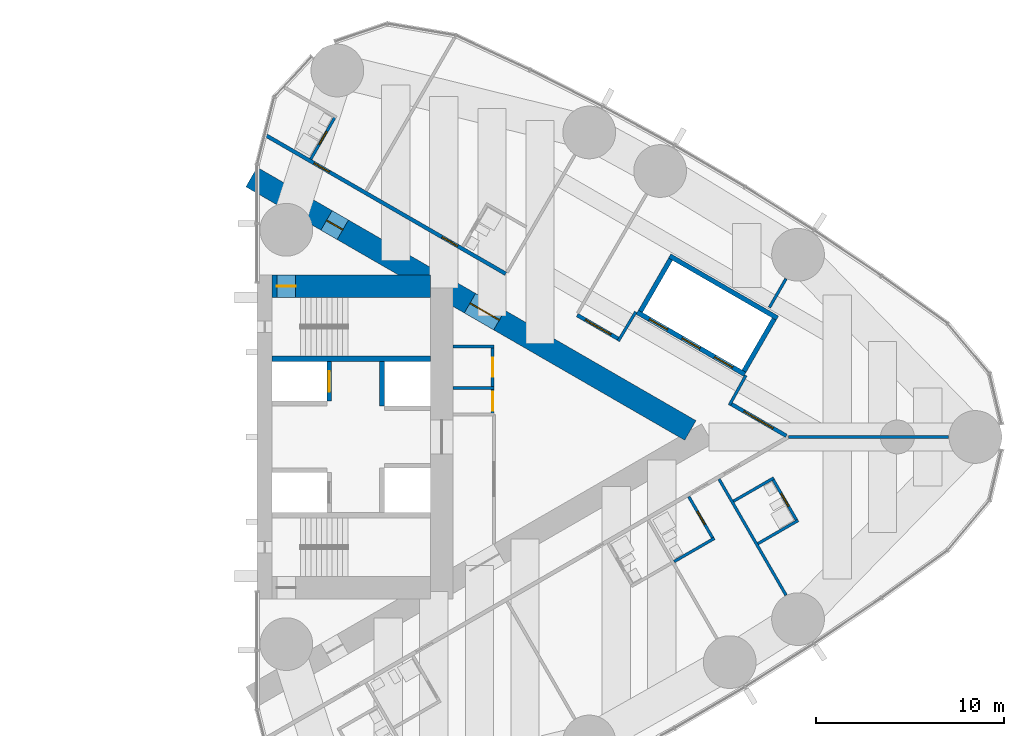
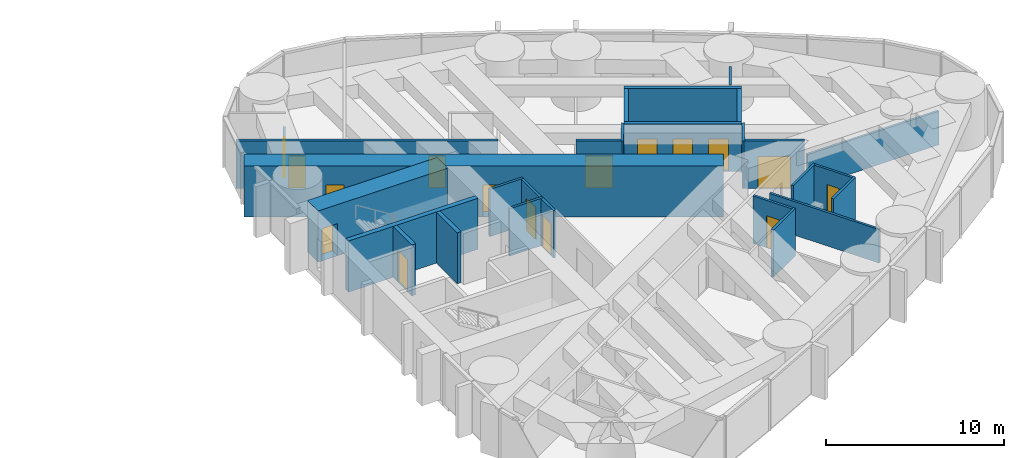
# One storey, part 15 of 19: 27 walls, 16 doors, 16 openings.
"""IFC4 building model written with IfcOpenShell, lengths in metres."""

from ifc_helpers import new_model, si_unit, direction, frame, frame_2d, origin, place, context, subcontext, project, spatial, rectangle, extrude, material, layer, layer_set, type_object, element, fill, save


model = new_model("IFC4")

# Units and contexts
model_context = context("Model", 3, precision=1e-05, world=origin(), true_north=direction((0.0, 1.0)))
body_context = subcontext(model_context, "Body", "Model", "MODEL_VIEW")
ifc_project = project(units=[si_unit("LENGTHUNIT", "METRE"), si_unit("AREAUNIT", "SQUARE_METRE"), si_unit("VOLUMEUNIT", "CUBIC_METRE"), si_unit("PLANEANGLEUNIT", "RADIAN"), si_unit("MASSUNIT", "GRAM", prefix="KILO")], contexts=[model_context])

# Site, building, storey
site_placement = place(None, origin())
site = spatial("IfcSite", under=ifc_project, at=site_placement, CompositionType="ELEMENT")
building_placement = place(site_placement, origin())
building = spatial("IfcBuilding", under=site, at=building_placement, Name="Lancet Gate Hotel", CompositionType="ELEMENT")
storey_placement = place(building_placement, frame((0.0, 0.0, 177.300048828125)))
storey = spatial("IfcBuildingStorey", under=building, at=storey_placement, Name="L47", CompositionType="ELEMENT", Elevation=177.300048828125)

# Wall
ifc_material_1 = material(Name="Moisture resistant board partition")
ifc_layer_1 = layer(ifc_material_1, 0.14990234375)
ifc_layer_set_1 = layer_set([ifc_layer_1], Name="Bathroom wall 150")
wall_type_1 = type_object("IfcWallType", Name="Bathroom wall 150", PredefinedType="PARTITIONING", material=ifc_layer_set_1)
wall_1_placement = place(storey_placement, frame((49.6396484375, -6.617919921875, 0.0), z_axis=(0.0, 0.0, 1.0), x_axis=(0.866006523861, 0.500032699561, 0.0)))
element("IfcWall", 1, at=wall_1_placement, inside=storey, type_object=wall_type_1, Name="T2 bathroom wall 150 L47", PredefinedType="PARTITIONING", context=body_context, shape_type="SweptSolid", body=[
    extrude(rectangle(XDim=2.474853515625, YDim=0.14990234375, at=frame_2d((1.2373046875, 0.0))), origin(), (0.0, 0.0, 1.0), 3.25),
])

# Wall, opening, door
wall_2_placement = place(storey_placement, frame((50.418212890625, -3.166259765625, 0.0), z_axis=(0.0, 0.0, 1.0), x_axis=(0.499936506574, -0.866062058628, 0.0)))
wall_2 = element("IfcWall", 2, at=wall_2_placement, inside=storey, type_object=wall_type_1, Name="T2 bathroom wall 150 L47", PredefinedType="PARTITIONING", context=body_context, shape_type="SweptSolid", body=[
    extrude(rectangle(XDim=2.599853515625, YDim=0.14990234375, at=frame_2d((1.2998046875, 0.0))), origin(), (0.0, 0.0, 1.0), 3.25),
])
opening_1_placement = place(wall_2_placement, frame((0.89990234375, 0.0, 0.0)))
opening_1 = element("IfcOpeningElement", 3, at=opening_1_placement, cuts=wall_2, Name="Opening 4756-B", PredefinedType="OPENING", context=body_context, shape_type="SweptSolid", body=[
    extrude(rectangle(XDim=0.800048828125, YDim=2.199951171875, at=frame_2d((0.39990234375, 1.10009765625))), frame((0.0, 0.0849609375, 0.0), z_axis=(0.0, -1.0, 0.0), x_axis=(1.0, 0.0, 0.0)), (0.0, 0.0, 1.0), 0.169921875),
])
ifc_material_2 = material(Name="Timber door set", Category="wood")
door_type_1 = type_object("IfcDoorType", Name="Bathroom door 800", OperationType="SINGLE_SWING_RIGHT", PredefinedType="DOOR", material=ifc_material_2)
door_1_placement = place(opening_1_placement, origin())
door_1 = element("IfcDoor", 4, at=door_1_placement, inside=storey, type_object=door_type_1, Name="4756-B", OperationType="SINGLE_SWING_RIGHT", OverallHeight=2.199951171875, OverallWidth=0.800048828125, PredefinedType="DOOR", context=body_context, shape_type="SweptSolid", body=[
    extrude(rectangle(XDim=0.800048828125, YDim=2.199951171875, at=frame_2d((0.39990234375, 1.10009765625))), frame((0.0, 0.02490234375, 0.0), z_axis=(0.0, -1.0, 0.0), x_axis=(1.0, 0.0, 0.0)), (0.0, 0.0, 1.0), 0.050048828125),
])
fill(opening_1, door_1)

# Wall
wall_3_placement = place(storey_placement, frame((54.09033203125, -5.6650390625, 0.0), z_axis=(0.0, 0.0, 1.0), x_axis=(0.866006523861, 0.500032699561, 0.0)))
element("IfcWall", 5, at=wall_3_placement, inside=storey, type_object=wall_type_1, Name="T2 bathroom wall 150 L47", PredefinedType="PARTITIONING", context=body_context, shape_type="SweptSolid", body=[
    extrude(rectangle(XDim=2.474853515625, YDim=0.14990234375, at=frame_2d((1.2373046875, 0.0))), origin(), (0.0, 0.0, 1.0), 3.25),
])

# Wall, opening, door
wall_4_placement = place(storey_placement, frame((54.86865234375, -2.21337890625, 0.0), z_axis=(0.0, 0.0, 1.0), x_axis=(0.500047596559, -0.865997922154, 0.0)))
wall_4 = element("IfcWall", 6, at=wall_4_placement, inside=storey, type_object=wall_type_1, Name="T2 bathroom wall 150 L47", PredefinedType="PARTITIONING", context=body_context, shape_type="SweptSolid", body=[
    extrude(rectangle(XDim=2.599853515625, YDim=0.14990234375, at=frame_2d((1.2998046875, 0.0))), origin(), (0.0, 0.0, 1.0), 3.25),
])
opening_2_placement = place(wall_4_placement, frame((0.89990234375, 0.0, 0.0)))
opening_2 = element("IfcOpeningElement", 7, at=opening_2_placement, cuts=wall_4, Name="Opening 4757-B", PredefinedType="OPENING", context=body_context, shape_type="SweptSolid", body=[
    extrude(rectangle(XDim=0.800048828125, YDim=2.199951171875, at=frame_2d((0.39990234375, 1.10009765625))), frame((0.0, 0.0849609375, 0.0), z_axis=(0.0, -1.0, 0.0), x_axis=(1.0, 0.0, 0.0)), (0.0, 0.0, 1.0), 0.169921875),
])
door_2_placement = place(opening_2_placement, origin())
door_2 = element("IfcDoor", 8, at=door_2_placement, inside=storey, type_object=door_type_1, Name="4757-B", OperationType="SINGLE_SWING_RIGHT", OverallHeight=2.199951171875, OverallWidth=0.800048828125, PredefinedType="DOOR", context=body_context, shape_type="SweptSolid", body=[
    extrude(rectangle(XDim=0.800048828125, YDim=2.199951171875, at=frame_2d((0.39990234375, 1.10009765625))), frame((0.0, 0.02490234375, 0.0), z_axis=(0.0, -1.0, 0.0), x_axis=(1.0, 0.0, 0.0)), (0.0, 0.0, 1.0), 0.050048828125),
])
fill(opening_2, door_2)

# Wall
wall_5_placement = place(storey_placement, frame((52.790283203125, -3.413330078125, 0.0), z_axis=(0.0, 0.0, 1.0), x_axis=(0.866006523861, 0.500032699561, 0.0)))
element("IfcWall", 9, at=wall_5_placement, inside=storey, type_object=wall_type_1, Name="T2 bathroom wall 150 L47", PredefinedType="PARTITIONING", context=body_context, shape_type="SweptSolid", body=[
    extrude(rectangle(XDim=2.474853515625, YDim=0.14990234375, at=frame_2d((1.2373046875, 0.0))), origin(), (0.0, 0.0, 1.0), 3.25),
])

# Wall, opening, door
wall_6_placement = place(storey_placement, frame((30.34765625, 14.75390625, 0.0), z_axis=(0.0, 0.0, 1.0), x_axis=(0.500006934395, 0.866021400173, 0.0)))
wall_6 = element("IfcWall", 10, at=wall_6_placement, inside=storey, type_object=wall_type_1, Name="T2 bathroom wall 150 L47", PredefinedType="PARTITIONING", context=body_context, shape_type="SweptSolid", body=[
    extrude(rectangle(XDim=2.60009765625, YDim=0.14990234375, at=frame_2d((1.300048828125, 0.0))), origin(), (0.0, 0.0, 1.0), 2.300048828125),
])
opening_3_placement = place(wall_6_placement, frame((0.89990234375, 0.0, 0.0)))
opening_3 = element("IfcOpeningElement", 11, at=opening_3_placement, cuts=wall_6, Name="Opening 4764-B", PredefinedType="OPENING", context=body_context, shape_type="SweptSolid", body=[
    extrude(rectangle(XDim=0.800048828125, YDim=2.199951171875, at=frame_2d((0.39990234375, 1.10009765625))), frame((0.0, 0.0849609375, 0.0), z_axis=(0.0, -1.0, 0.0), x_axis=(1.0, 0.0, 0.0)), (0.0, 0.0, 1.0), 0.169921875),
])
door_3_placement = place(opening_3_placement, origin())
door_3 = element("IfcDoor", 12, at=door_3_placement, inside=storey, type_object=door_type_1, Name="4764-B", OperationType="SINGLE_SWING_RIGHT", OverallHeight=2.199951171875, OverallWidth=0.800048828125, PredefinedType="DOOR", context=body_context, shape_type="SweptSolid", body=[
    extrude(rectangle(XDim=0.800048828125, YDim=2.199951171875, at=frame_2d((0.39990234375, 1.10009765625))), frame((0.0, 0.02490234375, 0.0), z_axis=(0.0, -1.0, 0.0), x_axis=(1.0, 0.0, 0.0)), (0.0, 0.0, 1.0), 0.050048828125),
])
fill(opening_3, door_3)

# Wall, openings, doors
ifc_material_3 = material(Name="Concrete C70/85", Category="concrete")
ifc_layer_2 = layer(ifc_material_3, 1.199951171875)
ifc_layer_set_2 = layer_set([ifc_layer_2], Name="Buttress wall 1200")
wall_type_2 = type_object("IfcWallType", Name="Buttress wall 1200", PredefinedType="SHEAR", material=ifc_layer_set_2)
wall_7_placement = place(storey_placement, frame((27.199951171875, 13.800048828125, 0.0), z_axis=(0.0, 0.0, 1.0), x_axis=(0.866024515034, -0.500001539357, 0.0)))
wall_7 = element("IfcWall", 13, at=wall_7_placement, inside=storey, type_object=wall_type_2, Name="T2 buttress wall N L47", PredefinedType="SHEAR", context=body_context, shape_type="SweptSolid", body=[
    extrude(rectangle(XDim=26.9072265625, YDim=1.199951171875, at=frame_2d((13.45361328125, 0.0))), origin(), (0.0, 0.0, 1.0), 3.5),
])
opening_4_placement = place(wall_7_placement, frame((4.60009765625, 0.0, 0.0)))
opening_4 = element("IfcOpeningElement", 14, at=opening_4_placement, cuts=wall_7, Name="Opening T2-L47-LN", PredefinedType="OPENING", context=body_context, shape_type="SweptSolid", body=[
    extrude(rectangle(XDim=1.0, YDim=2.199951171875, at=frame_2d((0.5, 1.10009765625))), frame((0.0, 0.60986328125, 0.0), z_axis=(0.0, -1.0, 0.0), x_axis=(1.0, 0.0, 0.0)), (0.0, 0.0, 1.0), 1.219970703125),
])
opening_5_placement = place(wall_7_placement, frame((13.39453125, 0.0, 0.0)))
opening_5 = element("IfcOpeningElement", 15, at=opening_5_placement, cuts=wall_7, Name="Opening T2-L47-LHN", PredefinedType="OPENING", context=body_context, shape_type="SweptSolid", body=[
    extrude(rectangle(XDim=1.800048828125, YDim=2.199951171875, at=frame_2d((0.89990234375, 1.10009765625))), frame((0.0, 0.60986328125, 0.0), z_axis=(0.0, -1.0, 0.0), x_axis=(1.0, 0.0, 0.0)), (0.0, 0.0, 1.0), 1.219970703125),
])
ifc_material_4 = material(Name="Timber door set", Category="wood")
door_type_2 = type_object("IfcDoorType", Name="Lobby double door 1800", OperationType="DOUBLE_DOOR_SINGLE_SWING", PredefinedType="DOOR", material=ifc_material_4)
door_4_placement = place(opening_5_placement, origin())
door_4 = element("IfcDoor", 16, at=door_4_placement, inside=storey, type_object=door_type_2, Name="T2-L47-LHN", OperationType="DOUBLE_DOOR_SINGLE_SWING", OverallHeight=2.199951171875, OverallWidth=1.800048828125, PredefinedType="DOOR", context=body_context, shape_type="SweptSolid", body=[
    extrude(rectangle(XDim=1.800048828125, YDim=2.199951171875, at=frame_2d((0.89990234375, 1.10009765625))), frame((0.0, 0.02490234375, 0.0), z_axis=(0.0, -1.0, 0.0), x_axis=(1.0, 0.0, 0.0)), (0.0, 0.0, 1.0), 0.050048828125),
])
fill(opening_5, door_4)
ifc_material_5 = material(Name="Timber door set", Category="wood")
door_type_3 = type_object("IfcDoorType", Name="Stair lobby door 1000", OperationType="SINGLE_SWING_LEFT", PredefinedType="DOOR", material=ifc_material_5)
door_5_placement = place(opening_4_placement, origin())
door_5 = element("IfcDoor", 17, at=door_5_placement, inside=storey, type_object=door_type_3, Name="T2-L47-LN", OperationType="SINGLE_SWING_LEFT", OverallHeight=2.199951171875, OverallWidth=1.0, PredefinedType="DOOR", context=body_context, shape_type="SweptSolid", body=[
    extrude(rectangle(XDim=1.0, YDim=2.199951171875, at=frame_2d((0.5, 1.10009765625))), frame((0.0, 0.02490234375, 0.0), z_axis=(0.0, -1.0, 0.0), x_axis=(1.0, 0.0, 0.0)), (0.0, 0.0, 1.0), 0.050048828125),
])
fill(opening_4, door_5)

# Wall, opening, door
ifc_material_6 = material(Name="Concrete C70/85", Category="concrete")
ifc_layer_3 = layer(ifc_material_6, 1.199951171875)
ifc_layer_set_3 = layer_set([ifc_layer_3], Name="Core wall 1200")
wall_type_3 = type_object("IfcWallType", Name="Core wall 1200", PredefinedType="SHEAR", material=ifc_layer_set_3)
wall_8_placement = place(storey_placement, frame((28.300048828125, 8.0, 0.0), z_axis=(0.0, 0.0, 1.0), x_axis=(1.0, 0.0, 0.0)))
wall_8 = element("IfcWall", 18, at=wall_8_placement, inside=storey, type_object=wall_type_3, Name="T2 core wall side-N L47", PredefinedType="SHEAR", context=body_context, shape_type="SweptSolid", body=[
    extrude(rectangle(XDim=8.39990234375, YDim=1.199951171875, at=frame_2d((4.199951171875, 0.0))), origin(), (0.0, 0.0, 1.0), 3.5),
])
opening_6_placement = place(wall_8_placement, frame((0.25, 0.0, 0.0)))
opening_6 = element("IfcOpeningElement", 19, at=opening_6_placement, cuts=wall_8, Name="Opening T2-L47-ST2", PredefinedType="OPENING", context=body_context, shape_type="SweptSolid", body=[
    extrude(rectangle(XDim=1.0, YDim=2.199951171875, at=frame_2d((0.5, 1.10009765625))), frame((0.0, 0.60986328125, 0.0), z_axis=(0.0, -1.0, 0.0), x_axis=(1.0, 0.0, 0.0)), (0.0, 0.0, 1.0), 1.219970703125),
])
ifc_material_7 = material(Name="Timber door set", Category="wood")
door_type_4 = type_object("IfcDoorType", Name="Stair door 1000", OperationType="SINGLE_SWING_RIGHT", PredefinedType="DOOR", material=ifc_material_7)
door_6_placement = place(opening_6_placement, origin())
door_6 = element("IfcDoor", 20, at=door_6_placement, inside=storey, type_object=door_type_4, Name="T2-L47-ST2", OperationType="SINGLE_SWING_RIGHT", OverallHeight=2.199951171875, OverallWidth=1.0, PredefinedType="DOOR", context=body_context, shape_type="SweptSolid", body=[
    extrude(rectangle(XDim=1.0, YDim=2.199951171875, at=frame_2d((0.5, 1.10009765625))), frame((0.0, 0.02490234375, 0.0), z_axis=(0.0, -1.0, 0.0), x_axis=(1.0, 0.0, 0.0)), (0.0, 0.0, 1.0), 0.050048828125),
])
fill(opening_6, door_6)

ifc_material_8 = material(Name="Gypsum board partition")
ifc_layer_4 = layer(ifc_material_8, 0.199951171875)
ifc_layer_set_4 = layer_set([ifc_layer_4], Name="Corridor wall 200")
wall_type_4 = type_object("IfcWallType", Name="Corridor wall 200", PredefinedType="PARTITIONING", material=ifc_layer_set_4)
wall_9_placement = place(storey_placement, frame((52.63916015625, 1.7685546875, 0.0), z_axis=(0.0, 0.0, 1.0), x_axis=(0.866027340901, -0.4999966448, 0.0)))
wall_9 = element("IfcWall", 21, at=wall_9_placement, inside=storey, type_object=wall_type_4, Name="T2 corridor wall 200 L47", PredefinedType="PARTITIONING", context=body_context, shape_type="SweptSolid", body=[
    extrude(rectangle(XDim=3.4169921875, YDim=0.199951171875, at=frame_2d((1.70849609375, 0.0))), origin(), (0.0, 0.0, 1.0), 3.25),
])
opening_7_placement = place(wall_9_placement, frame((0.80859375, 0.0, 0.0)))
opening_7 = element("IfcOpeningElement", 22, at=opening_7_placement, cuts=wall_9, Name="Opening T2-L47-LO1", PredefinedType="OPENING", context=body_context, shape_type="SweptSolid", body=[
    extrude(rectangle(XDim=1.800048828125, YDim=2.199951171875, at=frame_2d((0.89990234375, 1.10009765625))), frame((0.0, 0.10986328125, 0.0), z_axis=(0.0, -1.0, 0.0), x_axis=(1.0, 0.0, 0.0)), (0.0, 0.0, 1.0), 0.219970703125),
])
ifc_material_9 = material(Name="Timber door set", Category="wood")
door_type_5 = type_object("IfcDoorType", Name="Double door 1800", OperationType="DOUBLE_DOOR_SINGLE_SWING", PredefinedType="DOOR", material=ifc_material_9)
door_7_placement = place(opening_7_placement, origin())
door_7 = element("IfcDoor", 23, at=door_7_placement, inside=storey, type_object=door_type_5, Name="T2-L47-LO1", OperationType="DOUBLE_DOOR_SINGLE_SWING", OverallHeight=2.199951171875, OverallWidth=1.800048828125, PredefinedType="DOOR", context=body_context, shape_type="SweptSolid", body=[
    extrude(rectangle(XDim=1.800048828125, YDim=2.199951171875, at=frame_2d((0.89990234375, 1.10009765625))), frame((0.0, 0.02490234375, 0.0), z_axis=(0.0, -1.0, 0.0), x_axis=(1.0, 0.0, 0.0)), (0.0, 0.0, 1.0), 0.050048828125),
])
fill(opening_7, door_7)

# Wall, openings, doors
wall_10_placement = place(storey_placement, frame((27.95947265625, 16.017333984375, 0.0), z_axis=(0.0, 0.0, 1.0), x_axis=(0.866024165033, -0.500002145574, 0.0)))
wall_10 = element("IfcWall", 24, at=wall_10_placement, inside=storey, type_object=wall_type_4, Name="T2 corridor wall 200 L47", PredefinedType="PARTITIONING", context=body_context, shape_type="SweptSolid", body=[
    extrude(rectangle(XDim=14.708984375, YDim=0.199951171875, at=frame_2d((7.3544921875, 0.0))), origin(), (0.0, 0.0, 1.0), 3.25),
])
opening_8_placement = place(wall_10_placement, frame((10.808837890625, 0.0, 0.0)))
opening_8 = element("IfcOpeningElement", 25, at=opening_8_placement, cuts=wall_10, Name="Opening 4762-E", PredefinedType="OPENING", context=body_context, shape_type="SweptSolid", body=[
    extrude(rectangle(XDim=0.949951171875, YDim=2.199951171875, at=frame_2d((0.47509765625, 1.10009765625))), frame((0.0, 0.10986328125, 0.0), z_axis=(0.0, -1.0, 0.0), x_axis=(1.0, 0.0, 0.0)), (0.0, 0.0, 1.0), 0.219970703125),
])
opening_9_placement = place(wall_10_placement, frame((2.949951171875, 0.0, 0.0)))
opening_9 = element("IfcOpeningElement", 26, at=opening_9_placement, cuts=wall_10, Name="Opening 4764-E", PredefinedType="OPENING", context=body_context, shape_type="SweptSolid", body=[
    extrude(rectangle(XDim=0.949951171875, YDim=2.199951171875, at=frame_2d((0.47509765625, 1.10009765625))), frame((0.0, 0.10986328125, 0.0), z_axis=(0.0, -1.0, 0.0), x_axis=(1.0, 0.0, 0.0)), (0.0, 0.0, 1.0), 0.219970703125),
])
ifc_material_10 = material(Name="Timber door set", Category="wood")
door_type_6 = type_object("IfcDoorType", Name="Guest room entry door 950", OperationType="SINGLE_SWING_LEFT", PredefinedType="DOOR", material=ifc_material_10)
door_8_placement = place(opening_8_placement, origin())
door_8 = element("IfcDoor", 27, at=door_8_placement, inside=storey, type_object=door_type_6, Name="4762-E", OperationType="SINGLE_SWING_LEFT", OverallHeight=2.199951171875, OverallWidth=0.949951171875, PredefinedType="DOOR", context=body_context, shape_type="SweptSolid", body=[
    extrude(rectangle(XDim=0.949951171875, YDim=2.199951171875, at=frame_2d((0.47509765625, 1.10009765625))), frame((0.0, 0.02490234375, 0.0), z_axis=(0.0, -1.0, 0.0), x_axis=(1.0, 0.0, 0.0)), (0.0, 0.0, 1.0), 0.050048828125),
])
fill(opening_8, door_8)
door_9_placement = place(opening_9_placement, origin())
door_9 = element("IfcDoor", 28, at=door_9_placement, inside=storey, type_object=door_type_6, Name="4764-E", OperationType="SINGLE_SWING_LEFT", OverallHeight=2.199951171875, OverallWidth=0.949951171875, PredefinedType="DOOR", context=body_context, shape_type="SweptSolid", body=[
    extrude(rectangle(XDim=0.949951171875, YDim=2.199951171875, at=frame_2d((0.47509765625, 1.10009765625))), frame((0.0, 0.02490234375, 0.0), z_axis=(0.0, -1.0, 0.0), x_axis=(1.0, 0.0, 0.0)), (0.0, 0.0, 1.0), 0.050048828125),
])
fill(opening_9, door_9)

# Wall, opening, door
wall_11_placement = place(storey_placement, frame((44.4931640625, 6.4716796875, 0.0), z_axis=(0.0, 0.0, 1.0), x_axis=(0.866027140358, -0.499996992154, 0.0)))
wall_11 = element("IfcWall", 29, at=wall_11_placement, inside=storey, type_object=wall_type_4, Name="T2 corridor wall 200 L47", PredefinedType="PARTITIONING", context=body_context, shape_type="SweptSolid", body=[
    extrude(rectangle(XDim=2.56591796875, YDim=0.199951171875, at=frame_2d((1.282958984375, 0.0))), origin(), (0.0, 0.0, 1.0), 3.25),
])
opening_10_placement = place(wall_11_placement, frame((0.5, 0.0, 0.0)))
opening_10 = element("IfcOpeningElement", 30, at=opening_10_placement, cuts=wall_11, Name="Opening T2-L47-LO2", PredefinedType="OPENING", context=body_context, shape_type="SweptSolid", body=[
    extrude(rectangle(XDim=1.56591796875, YDim=2.199951171875, at=frame_2d((0.782958984375, 1.10009765625))), frame((0.0, 0.10986328125, 0.0), z_axis=(0.0, -1.0, 0.0), x_axis=(1.0, 0.0, 0.0)), (0.0, 0.0, 1.0), 0.219970703125),
])
door_10_placement = place(opening_10_placement, origin())
door_10 = element("IfcDoor", 31, at=door_10_placement, inside=storey, type_object=door_type_6, Name="T2-L47-LO2", OperationType="SINGLE_SWING_LEFT", OverallHeight=2.199951171875, OverallWidth=1.56591796875, PredefinedType="DOOR", context=body_context, shape_type="SweptSolid", body=[
    extrude(rectangle(XDim=1.56591796875, YDim=2.199951171875, at=frame_2d((0.782958984375, 1.10009765625))), frame((0.0, 0.02490234375, 0.0), z_axis=(0.0, -1.0, 0.0), x_axis=(1.0, 0.0, 0.0)), (0.0, 0.0, 1.0), 0.050048828125),
])
fill(opening_10, door_10)

# Wall, openings, doors
ifc_material_11 = material(Name="Gypsum board partition")
ifc_layer_5 = layer(ifc_material_11, 0.25)
ifc_layer_set_5 = layer_set([ifc_layer_5], Name="Lift shaft partition 250")
wall_type_5 = type_object("IfcWallType", Name="Lift shaft partition 250", PredefinedType="PARTITIONING", material=ifc_layer_set_5)
wall_12_placement = place(storey_placement, frame((47.681396484375, 6.622314453125, 0.0), z_axis=(0.0, 0.0, 1.0), x_axis=(0.86603344179, -0.499986077507, 0.0)))
wall_12 = element("IfcWall", 32, at=wall_12_placement, inside=storey, type_object=wall_type_5, Name="T2 lift shaft wall HL L47", PredefinedType="PARTITIONING", context=body_context, shape_type="SweptSolid", body=[
    extrude(rectangle(XDim=6.600341796875, YDim=0.25, at=frame_2d((3.30029296875, 0.0))), origin(), (0.0, 0.0, 1.0), 3.25),
])
opening_11_placement = place(wall_12_placement, frame((0.75, 0.0, 0.0)))
opening_11 = element("IfcOpeningElement", 33, at=opening_11_placement, cuts=wall_12, Name="Opening T2-HL1-L47", PredefinedType="OPENING", context=body_context, shape_type="SweptSolid", body=[
    extrude(rectangle(XDim=1.10009765625, YDim=2.199951171875, at=frame_2d((0.550048828125, 1.10009765625))), frame((0.0, 0.135009765625, 0.0), z_axis=(0.0, -1.0, 0.0), x_axis=(1.0, 0.0, 0.0)), (0.0, 0.0, 1.0), 0.27001953125),
])
opening_12_placement = place(wall_12_placement, frame((2.75, 0.0, 0.0)))
opening_12 = element("IfcOpeningElement", 34, at=opening_12_placement, cuts=wall_12, Name="Opening T2-HL2-L47", PredefinedType="OPENING", context=body_context, shape_type="SweptSolid", body=[
    extrude(rectangle(XDim=1.10009765625, YDim=2.199951171875, at=frame_2d((0.550048828125, 1.10009765625))), frame((0.0, 0.135009765625, 0.0), z_axis=(0.0, -1.0, 0.0), x_axis=(1.0, 0.0, 0.0)), (0.0, 0.0, 1.0), 0.27001953125),
])
opening_13_placement = place(wall_12_placement, frame((4.75, 0.0, 0.0)))
opening_13 = element("IfcOpeningElement", 35, at=opening_13_placement, cuts=wall_12, Name="Opening T2-HL3-L47", PredefinedType="OPENING", context=body_context, shape_type="SweptSolid", body=[
    extrude(rectangle(XDim=1.10009765625, YDim=2.199951171875, at=frame_2d((0.550048828125, 1.10009765625))), frame((0.0, 0.135009765625, 0.0), z_axis=(0.0, -1.0, 0.0), x_axis=(1.0, 0.0, 0.0)), (0.0, 0.0, 1.0), 0.27001953125),
])
ifc_material_12 = material(Name="Steel door set", Category="steel")
door_type_7 = type_object("IfcDoorType", Name="Lift landing door 1100", OperationType="DOUBLE_DOOR_SLIDING", PredefinedType="USERDEFINED", material=ifc_material_12)
door_11_placement = place(opening_11_placement, origin())
door_11 = element("IfcDoor", 36, at=door_11_placement, inside=storey, type_object=door_type_7, Name="T2-HL1-L47", ObjectType="LIFT LANDING DOOR", OperationType="DOUBLE_DOOR_SLIDING", OverallHeight=2.199951171875, OverallWidth=1.10009765625, PredefinedType="USERDEFINED", context=body_context, shape_type="SweptSolid", body=[
    extrude(rectangle(XDim=1.10009765625, YDim=2.199951171875, at=frame_2d((0.550048828125, 1.10009765625))), frame((0.0, 0.02490234375, 0.0), z_axis=(0.0, -1.0, 0.0), x_axis=(1.0, 0.0, 0.0)), (0.0, 0.0, 1.0), 0.050048828125),
])
fill(opening_11, door_11)
door_12_placement = place(opening_12_placement, origin())
door_12 = element("IfcDoor", 37, at=door_12_placement, inside=storey, type_object=door_type_7, Name="T2-HL2-L47", ObjectType="LIFT LANDING DOOR", OperationType="DOUBLE_DOOR_SLIDING", OverallHeight=2.199951171875, OverallWidth=1.10009765625, PredefinedType="USERDEFINED", context=body_context, shape_type="SweptSolid", body=[
    extrude(rectangle(XDim=1.10009765625, YDim=2.199951171875, at=frame_2d((0.550048828125, 1.10009765625))), frame((0.0, 0.02490234375, 0.0), z_axis=(0.0, -1.0, 0.0), x_axis=(1.0, 0.0, 0.0)), (0.0, 0.0, 1.0), 0.050048828125),
])
fill(opening_12, door_12)
door_13_placement = place(opening_13_placement, origin())
door_13 = element("IfcDoor", 38, at=door_13_placement, inside=storey, type_object=door_type_7, Name="T2-HL3-L47", ObjectType="LIFT LANDING DOOR", OperationType="DOUBLE_DOOR_SLIDING", OverallHeight=2.199951171875, OverallWidth=1.10009765625, PredefinedType="USERDEFINED", context=body_context, shape_type="SweptSolid", body=[
    extrude(rectangle(XDim=1.10009765625, YDim=2.199951171875, at=frame_2d((0.550048828125, 1.10009765625))), frame((0.0, 0.02490234375, 0.0), z_axis=(0.0, -1.0, 0.0), x_axis=(1.0, 0.0, 0.0)), (0.0, 0.0, 1.0), 0.050048828125),
])
fill(opening_13, door_13)

# Walls
wall_13_placement = place(storey_placement, frame((49.406494140625, 9.61083984375, 0.0), z_axis=(0.0, 0.0, 1.0), x_axis=(0.86603344179, -0.499986077507, 0.0)))
element("IfcWall", 39, at=wall_13_placement, inside=storey, type_object=wall_type_5, Name="T2 lift shaft wall HL L47", PredefinedType="PARTITIONING", context=body_context, shape_type="SweptSolid", body=[
    extrude(rectangle(XDim=6.600341796875, YDim=0.25, at=frame_2d((3.30029296875, 0.0))), origin(), (0.0, 0.0, 1.0), 3.25),
])
wall_14_placement = place(storey_placement, frame((47.852294921875, 6.66796875, 0.0), z_axis=(0.0, 0.0, 1.0), x_axis=(0.499929347863, 0.866066190972, 0.0)))
element("IfcWall", 40, at=wall_14_placement, inside=storey, type_object=wall_type_5, Name="T2 lift shaft wall HL L47", PredefinedType="PARTITIONING", context=body_context, shape_type="SweptSolid", body=[
    extrude(rectangle(XDim=3.20068359375, YDim=0.25, at=frame_2d((1.600341796875, 0.0))), origin(), (0.0, 0.0, 1.0), 3.25),
])
wall_15_placement = place(storey_placement, frame((53.351806640625, 3.492919921875, 0.0), z_axis=(0.0, 0.0, 1.0), x_axis=(0.499872130319, 0.866099216793, 0.0)))
element("IfcWall", 41, at=wall_15_placement, inside=storey, type_object=wall_type_5, Name="T2 lift shaft wall HL L47", PredefinedType="PARTITIONING", context=body_context, shape_type="SweptSolid", body=[
    extrude(rectangle(XDim=3.200439453125, YDim=0.25, at=frame_2d((1.60009765625, 0.0))), origin(), (0.0, 0.0, 1.0), 3.25),
])

# Wall, opening, door
ifc_material_13 = material(Name="Concrete C50/60", Category="concrete")
ifc_layer_6 = layer(ifc_material_13, 0.25)
ifc_layer_set_6 = layer_set([ifc_layer_6], Name="Lift shaft wall 250")
wall_type_6 = type_object("IfcWallType", Name="Lift shaft wall 250", PredefinedType="SHEAR", material=ifc_layer_set_6)
wall_16_placement = place(storey_placement, frame((31.324951171875, 1.89990234375, 0.0), z_axis=(0.0, 0.0, 1.0), x_axis=(0.0, 1.0, 0.0)))
wall_16 = element("IfcWall", 42, at=wall_16_placement, inside=storey, type_object=wall_type_6, Name="T2 core wall row1-N L47", PredefinedType="SHEAR", context=body_context, shape_type="SweptSolid", body=[
    extrude(rectangle(XDim=2.10009765625, YDim=0.25, at=frame_2d((1.050048828125, 0.0))), origin(), (0.0, 0.0, 1.0), 3.5),
])
opening_14_placement = place(wall_16_placement, frame((0.5, 0.0, 0.0)))
opening_14 = element("IfcOpeningElement", 43, at=opening_14_placement, cuts=wall_16, Name="Opening T2-FL2-L47", PredefinedType="OPENING", context=body_context, shape_type="SweptSolid", body=[
    extrude(rectangle(XDim=1.10009765625, YDim=2.199951171875, at=frame_2d((0.550048828125, 1.10009765625))), frame((0.0, 0.135009765625, 0.0), z_axis=(0.0, -1.0, 0.0), x_axis=(1.0, 0.0, 0.0)), (0.0, 0.0, 1.0), 0.27001953125),
])
ifc_material_14 = material(Name="Steel door set", Category="steel")
door_type_8 = type_object("IfcDoorType", Name="Firefighting lift landing door 1100", OperationType="SLIDING_TO_LEFT", PredefinedType="USERDEFINED", material=ifc_material_14)
door_14_placement = place(opening_14_placement, origin())
door_14 = element("IfcDoor", 44, at=door_14_placement, inside=storey, type_object=door_type_8, Name="T2-FL2-L47", ObjectType="LIFT LANDING DOOR", OperationType="SLIDING_TO_LEFT", OverallHeight=2.199951171875, OverallWidth=1.10009765625, PredefinedType="USERDEFINED", context=body_context, shape_type="SweptSolid", body=[
    extrude(rectangle(XDim=1.10009765625, YDim=2.199951171875, at=frame_2d((0.550048828125, 1.10009765625))), frame((0.0, 0.02490234375, 0.0), z_axis=(0.0, -1.0, 0.0), x_axis=(1.0, 0.0, 0.0)), (0.0, 0.0, 1.0), 0.050048828125),
])
fill(opening_14, door_14)

# Walls
wall_17_placement = place(storey_placement, frame((34.125, 1.64990234375, 0.0), z_axis=(0.0, 0.0, 1.0), x_axis=(0.0, 1.0, 0.0)))
element("IfcWall", 45, at=wall_17_placement, inside=storey, type_object=wall_type_6, Name="T2 core wall row2-N L47", PredefinedType="SHEAR", context=body_context, shape_type="SweptSolid", body=[
    extrude(rectangle(XDim=2.35009765625, YDim=0.25, at=frame_2d((1.175048828125, 0.0))), origin(), (0.0, 0.0, 1.0), 3.5),
])
ifc_material_15 = material(Name="Gypsum board partition")
ifc_layer_7 = layer(ifc_material_15, 0.14990234375)
ifc_layer_set_7 = layer_set([ifc_layer_7], Name="Party wall 150")
wall_type_7 = type_object("IfcWallType", Name="Party wall 150", PredefinedType="PARTITIONING", material=ifc_layer_set_7)
wall_18_placement = place(storey_placement, frame((52.025390625, -2.23828125, 0.0), z_axis=(0.0, 0.0, 1.0), x_axis=(0.499983785035, -0.866034765296, 0.0)))
element("IfcWall", 46, at=wall_18_placement, inside=storey, type_object=wall_type_7, Name="T2 party wall 150 L47", PredefinedType="PARTITIONING", context=body_context, shape_type="SweptSolid", body=[
    extrude(rectangle(XDim=7.116455078125, YDim=0.14990234375, at=frame_2d((3.55810546875, 0.0))), origin(), (0.0, 0.0, 1.0), 2.300048828125),
])
wall_19_placement = place(storey_placement, frame((55.7021484375, 0.0, 0.0), z_axis=(0.0, 0.0, 1.0), x_axis=(1.0, 0.0, 0.0)))
element("IfcWall", 47, at=wall_19_placement, inside=storey, type_object=wall_type_7, Name="T2 party wall 150 L47", PredefinedType="PARTITIONING", context=body_context, shape_type="SweptSolid", body=[
    extrude(rectangle(XDim=8.517578125, YDim=0.14990234375, at=frame_2d((4.2587890625, 0.0))), origin(), (0.0, 0.0, 1.0), 2.300048828125),
])
wall_20_placement = place(storey_placement, frame((54.700439453125, 6.871826171875, 0.0), z_axis=(0.0, 0.0, 1.0), x_axis=(0.499989690894, 0.866031355668, 0.0)))
element("IfcWall", 48, at=wall_20_placement, inside=storey, type_object=wall_type_7, Name="T2 party wall 150 L47", PredefinedType="PARTITIONING", context=body_context, shape_type="SweptSolid", body=[
    extrude(rectangle(XDim=1.76611328125, YDim=0.14990234375, at=frame_2d((0.883056640625, 0.0))), origin(), (0.0, 0.0, 1.0), 3.25),
])
ifc_material_16 = material(Name="Gypsum board partition")
ifc_layer_8 = layer(ifc_material_16, 0.14990234375)
ifc_layer_set_8 = layer_set([ifc_layer_8], Name="Service room wall 150")
wall_type_8 = type_object("IfcWallType", Name="Service room wall 150", PredefinedType="PARTITIONING", material=ifc_layer_set_8)
wall_21_placement = place(storey_placement, frame((52.576171875, 1.689453125, 0.0), z_axis=(0.0, 0.0, 1.0), x_axis=(0.485424724123, 0.874278466629, 0.0)))
element("IfcWall", 49, at=wall_21_placement, inside=storey, type_object=wall_type_8, Name="T2 service room wall 150 L47", PredefinedType="PARTITIONING", context=body_context, shape_type="SweptSolid", body=[
    extrude(rectangle(XDim=1.80517578125, YDim=0.14990234375, at=frame_2d((0.902587890625, 0.0))), origin(), (0.0, 0.0, 1.0), 3.25),
])
wall_22_placement = place(storey_placement, frame((47.6064453125, 6.642578125, 0.0), z_axis=(0.0, 0.0, 1.0), x_axis=(-0.514237157483, -0.857648031458, 0.0)))
element("IfcWall", 50, at=wall_22_placement, inside=storey, type_object=wall_type_8, Name="T2 service room wall 150 L47", PredefinedType="PARTITIONING", context=body_context, shape_type="SweptSolid", body=[
    extrude(rectangle(XDim=1.804931640625, YDim=0.14990234375, at=frame_2d((0.90234375, 0.0))), origin(), (0.0, 0.0, 1.0), 3.25),
])
for number, where, z_axis, x_axis, name in (
    (51, (37.89990234375, 2.60009765625, 0.0), (0.0, 0.0, 1.0), (1.0, 0.0, 0.0), "T2 service room wall 150 L47"),
    (52, (37.89990234375, 4.800048828125, 0.0), (0.0, 0.0, 1.0), (1.0, 0.0, 0.0), "T2 service room wall 150 L47"),
):
    element("IfcWall", number, at=place(storey_placement, frame(where, z_axis=z_axis, x_axis=x_axis)), inside=storey, type_object=wall_type_8, Name=name, PredefinedType="PARTITIONING", context=body_context, shape_type="SweptSolid", body=[
        extrude(rectangle(XDim=2.175048828125, YDim=0.14990234375, at=frame_2d((1.08740234375, 0.0))), origin(), (0.0, 0.0, 1.0), 3.25),
    ])

# Wall, opening, door
wall_23_placement = place(storey_placement, frame((40.0, 1.125, 0.0), z_axis=(0.0, 0.0, 1.0), x_axis=(0.0, 1.0, 0.0)))
wall_23 = element("IfcWall", 53, at=wall_23_placement, inside=storey, type_object=wall_type_8, Name="T2 service room wall 150 L47", PredefinedType="PARTITIONING", context=body_context, shape_type="SweptSolid", body=[
    extrude(rectangle(XDim=1.550048828125, YDim=0.14990234375, at=frame_2d((0.77490234375, 0.0))), origin(), (0.0, 0.0, 1.0), 3.25),
])
opening_15_placement = place(wall_23_placement, frame((0.27490234375, 0.0, 0.0)))
opening_15 = element("IfcOpeningElement", 54, at=opening_15_placement, cuts=wall_23, Name="Opening T2-L47-HRN0", PredefinedType="OPENING", context=body_context, shape_type="SweptSolid", body=[
    extrude(rectangle(XDim=1.0, YDim=2.199951171875, at=frame_2d((0.5, 1.10009765625))), frame((0.0, 0.0849609375, 0.0), z_axis=(0.0, -1.0, 0.0), x_axis=(1.0, 0.0, 0.0)), (0.0, 0.0, 1.0), 0.169921875),
])
ifc_material_17 = material(Name="Timber door set", Category="wood")
door_type_9 = type_object("IfcDoorType", Name="Service door 1000", OperationType="SINGLE_SWING_LEFT", PredefinedType="DOOR", material=ifc_material_17)
door_15_placement = place(opening_15_placement, origin())
door_15 = element("IfcDoor", 55, at=door_15_placement, inside=storey, type_object=door_type_9, Name="T2-L47-HRN0", OperationType="SINGLE_SWING_LEFT", OverallHeight=2.199951171875, OverallWidth=1.0, PredefinedType="DOOR", context=body_context, shape_type="SweptSolid", body=[
    extrude(rectangle(XDim=1.0, YDim=2.199951171875, at=frame_2d((0.5, 1.10009765625))), frame((0.0, 0.02490234375, 0.0), z_axis=(0.0, -1.0, 0.0), x_axis=(1.0, 0.0, 0.0)), (0.0, 0.0, 1.0), 0.050048828125),
])
fill(opening_15, door_15)

wall_24_placement = place(storey_placement, frame((40.0, 2.52490234375, 0.0), z_axis=(0.0, 0.0, 1.0), x_axis=(0.0, 1.0, 0.0)))
wall_24 = element("IfcWall", 56, at=wall_24_placement, inside=storey, type_object=wall_type_8, Name="T2 service room wall 150 L47", PredefinedType="PARTITIONING", context=body_context, shape_type="SweptSolid", body=[
    extrude(rectangle(XDim=2.35009765625, YDim=0.14990234375, at=frame_2d((1.175048828125, 0.0))), origin(), (0.0, 0.0, 1.0), 3.25),
])
opening_16_placement = place(wall_24_placement, frame((0.675048828125, 0.0, 0.0)))
opening_16 = element("IfcOpeningElement", 57, at=opening_16_placement, cuts=wall_24, Name="Opening T2-L47-HRN1", PredefinedType="OPENING", context=body_context, shape_type="SweptSolid", body=[
    extrude(rectangle(XDim=1.0, YDim=2.199951171875, at=frame_2d((0.5, 1.10009765625))), frame((0.0, 0.0849609375, 0.0), z_axis=(0.0, -1.0, 0.0), x_axis=(1.0, 0.0, 0.0)), (0.0, 0.0, 1.0), 0.169921875),
])
door_16_placement = place(opening_16_placement, origin())
door_16 = element("IfcDoor", 58, at=door_16_placement, inside=storey, type_object=door_type_9, Name="T2-L47-HRN1", OperationType="SINGLE_SWING_LEFT", OverallHeight=2.199951171875, OverallWidth=1.0, PredefinedType="DOOR", context=body_context, shape_type="SweptSolid", body=[
    extrude(rectangle(XDim=1.0, YDim=2.199951171875, at=frame_2d((0.5, 1.10009765625))), frame((0.0, 0.02490234375, 0.0), z_axis=(0.0, -1.0, 0.0), x_axis=(1.0, 0.0, 0.0)), (0.0, 0.0, 1.0), 0.050048828125),
])
fill(opening_16, door_16)

# Wall
ifc_material_18 = material(Name="Concrete C50/60", Category="concrete")
ifc_layer_9 = layer(ifc_material_18, 0.300048828125)
ifc_layer_set_9 = layer_set([ifc_layer_9], Name="Stair enclosure wall 300")
wall_type_9 = type_object("IfcWallType", Name="Stair enclosure wall 300", PredefinedType="SHEAR", material=ifc_layer_set_9)
wall_25_placement = place(storey_placement, frame((28.300048828125, 4.14990234375, 0.0), z_axis=(0.0, 0.0, 1.0), x_axis=(1.0, 0.0, 0.0)))
element("IfcWall", 59, at=wall_25_placement, inside=storey, type_object=wall_type_9, Name="T2 core wall stair-N L47", PredefinedType="SHEAR", context=body_context, shape_type="SweptSolid", body=[
    extrude(rectangle(XDim=8.39990234375, YDim=0.300048828125, at=frame_2d((4.199951171875, 0.0))), origin(), (0.0, 0.0, 1.0), 3.5),
])

save(model, "model.ifc")
